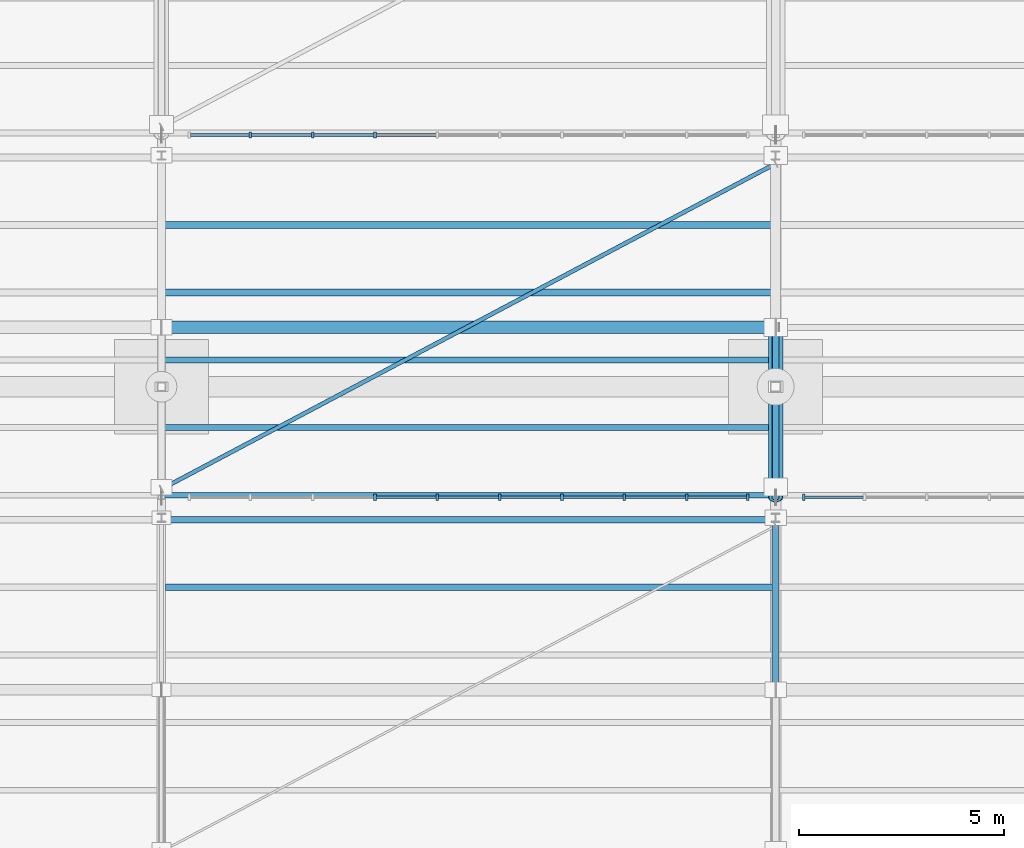
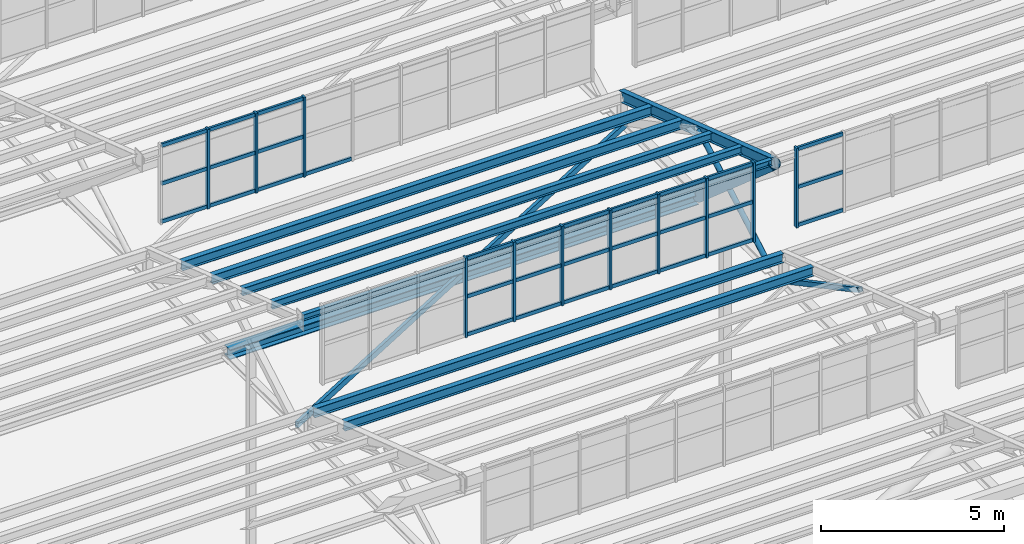
# One storey, part 52 of 285: 47 members, 8 beams, 3 elements without a shape of their own.
"""IFC4 building model written with IfcOpenShell, lengths in metres."""

import ifcopenshell
import ifcopenshell.guid

model = None  # the IFC model being written
_history = None  # IfcOwnerHistory: only IFC2X3 demands one
_inside = {}  # id of a spatial element -> (the spatial element, [elements in it])
_under = {}  # id of a project, library or spatial element -> (it, [spatial elements below it])
_declared = {}  # id of a project -> (the project, [libraries it declares])
_typed = {}  # id of a type object -> (the type object, [elements of that type])
_made_of = {}  # id of a material, layer set ... -> (it, [elements and type objects made of it])


def new_model(schema):
    """Start an empty IFC model of exactly this schema.

    Asked for "IFC4X3", IfcOpenShell would pick the latest addendum, in which some entities
    have other attributes; the version numbers below select the first issue.
    IFC2X3 requires an IfcOwnerHistory on every rooted entity: one is made here for all.
    """
    global model, _history
    if schema == "IFC4X3":
        model = ifcopenshell.file(schema_version=(4, 3, 0, 0))
    else:
        model = ifcopenshell.file(schema=schema)
    _inside.clear()
    _under.clear()
    _declared.clear()
    _typed.clear()
    _made_of.clear()
    _history = None
    if model.schema == "IFC2X3":
        org = make("IfcOrganization", Name="unknown")
        user = make(
            "IfcPersonAndOrganization",
            ThePerson=make("IfcPerson", FamilyName="unknown"),
            TheOrganization=org,
        )
        app = make(
            "IfcApplication",
            ApplicationDeveloper=org,
            Version="unknown",
            ApplicationFullName="unknown",
            ApplicationIdentifier="unknown",
        )
        _history = make(
            "IfcOwnerHistory",
            OwningUser=user,
            OwningApplication=app,
            ChangeAction="ADDED",
            CreationDate=0,
        )
    return model


def make(cls, **values):
    """One entity of the class cls with the attributes given. An attribute that is None is left unset."""
    return model.create_entity(
        cls, **{name: value for name, value in values.items() if value is not None}
    )


def rooted(cls, **values):
    """An entity with a GlobalId (a new one), such as an element, a storey or a relation."""
    return make(cls, GlobalId=ifcopenshell.guid.new(), OwnerHistory=_history, **values)


def si_unit(unit_type, name, prefix=None):
    """IfcSIUnit, for example si_unit("LENGTHUNIT", "METRE", prefix="MILLI")."""
    return make("IfcSIUnit", UnitType=unit_type, Prefix=prefix, Name=name)


def assignment(units):
    """IfcUnitAssignment: the units of a project."""
    return None if units is None else make("IfcUnitAssignment", Units=units)


def point(xyz):
    """IfcCartesianPoint."""
    return None if xyz is None else make("IfcCartesianPoint", Coordinates=xyz)


def direction(xyz):
    """IfcDirection."""
    return None if xyz is None else make("IfcDirection", DirectionRatios=xyz)


def frame(location, z_axis=None, x_axis=None):
    """IfcAxis2Placement3D, a coordinate frame: its origin and axes. An axis left out is left unset."""
    return make(
        "IfcAxis2Placement3D",
        Location=point(location),
        Axis=direction(z_axis),
        RefDirection=direction(x_axis),
    )


def frame_2d(location, x_axis=None):
    """IfcAxis2Placement2D, a coordinate frame in the plane: its origin and x axis."""
    return make(
        "IfcAxis2Placement2D", Location=point(location), RefDirection=direction(x_axis)
    )


def origin():
    """The frame at (0, 0, 0) with its axes left unset."""
    return frame((0.0, 0.0, 0.0))


def origin_2d():
    """The frame at (0, 0) in the plane with its x axis left unset."""
    return frame_2d((0.0, 0.0))


def place(relative_to, where):
    """IfcLocalPlacement: puts the frame where relative to a parent placement (None: the world)."""
    return make(
        "IfcLocalPlacement", PlacementRelTo=relative_to, RelativePlacement=where
    )


def context(
    kind, dimensions, precision=None, world=None, true_north=None, identifier=None
):
    """IfcGeometricRepresentationContext, for example the 3D "Model" context."""
    return make(
        "IfcGeometricRepresentationContext",
        ContextIdentifier=identifier,
        ContextType=kind,
        CoordinateSpaceDimension=dimensions,
        Precision=precision,
        WorldCoordinateSystem=world,
        TrueNorth=true_north,
    )


def subcontext(parent, identifier, kind, view, scale=None):
    """IfcGeometricRepresentationSubContext, for example "Body" below "Model"."""
    return make(
        "IfcGeometricRepresentationSubContext",
        ContextIdentifier=identifier,
        ContextType=kind,
        ParentContext=parent,
        TargetScale=scale,
        TargetView=view,
    )


def project(units=None, contexts=None):
    """IfcProject with its units and contexts."""
    return rooted(
        "IfcProject",
        Name="project",
        RepresentationContexts=contexts,
        UnitsInContext=assignment(units),
    )


def spatial(cls, under=None, at=None, **own):
    """A site, building, storey or space (cls), placed at a placement, below another one or the project."""
    s = rooted(cls, ObjectPlacement=at, **own)
    if under is not None:
        _under.setdefault(under.id(), (under, []))[1].append(s)
    return s


def profile(cls, at=None, kind="AREA", **sizes):
    """A parametric profile (cls). Its sizes go by their IFC names, for example OverallWidth=200.0."""
    return make(cls, ProfileType=kind, Position=at, **sizes)


def rectangle(**sizes):
    """IfcRectangleProfileDef."""
    return profile("IfcRectangleProfileDef", **sizes)


def hollow_rectangle(**sizes):
    """IfcRectangleHollowProfileDef."""
    return profile("IfcRectangleHollowProfileDef", **sizes)


def hollow_circle(**sizes):
    """IfcCircleHollowProfileDef."""
    return profile("IfcCircleHollowProfileDef", **sizes)


def i_section(**sizes):
    """IfcIShapeProfileDef."""
    return profile("IfcIShapeProfileDef", **sizes)


def extrude(swept, where, along, depth):
    """IfcExtrudedAreaSolid: the profile swept, set in the frame where, extruded along a direction by depth."""
    return make(
        "IfcExtrudedAreaSolid",
        SweptArea=swept,
        Position=where,
        ExtrudedDirection=direction(along),
        Depth=depth,
    )


def shape(context_of_items, identifier, shape_type, items):
    """IfcShapeRepresentation: the items that make up one representation, for example the "Body"."""
    return make(
        "IfcShapeRepresentation",
        ContextOfItems=context_of_items,
        RepresentationIdentifier=identifier,
        RepresentationType=shape_type,
        Items=items,
    )


def material(Name=None, Category=None):
    """IfcMaterial."""
    return make("IfcMaterial", Name=Name, Category=Category)


def material_profile(
    of_material, cross_section, Name=None, Category=None, Priority=None
):
    """IfcMaterialProfile: a cross section and its material."""
    return make(
        "IfcMaterialProfile",
        Name=Name,
        Material=of_material,
        Profile=cross_section,
        Priority=Priority,
        Category=Category,
    )


def profile_set(profiles, Name=None, composite=None):
    """IfcMaterialProfileSet."""
    return make(
        "IfcMaterialProfileSet",
        Name=Name,
        MaterialProfiles=profiles,
        CompositeProfile=composite,
    )


def made_of(thing, what):
    """Note that an element or type object is made of a material, layer set ...; save() writes the relation."""
    if what is not None:
        _made_of.setdefault(what.id(), (what, []))[1].append(thing)
    return thing


def type_object(cls, material=None, **own):
    """A type object (cls), such as IfcWallType, which elements share."""
    return made_of(rooted(cls, **own), material)


def element(
    cls,
    number,
    at=None,
    inside=None,
    cuts=None,
    type_object=None,
    material=None,
    context=None,
    identifier="Body",
    shape_type=None,
    held_by="IfcProductDefinitionShape",
    body=None,
    shapes=None,
    **own,
):
    """One element of the class cls, such as IfcWall. Its Tag is "e" and its number.

    at: its placement. inside: the storey or other place that contains it. cuts: it is an
    opening in that element (IfcRelVoidsElement). A single representation is given by context,
    identifier, shape_type and body (its items); several are given by shapes. held_by: the class
    of the entity that holds the representations. save() writes the other relations.
    """
    e = rooted(cls, Tag="e%d" % number, ObjectPlacement=at, **own)
    if body is not None:
        shapes = [shape(context, identifier, shape_type, body)]
    if shapes is not None:
        e.Representation = make(held_by, Representations=shapes)
    if inside is not None:
        _inside.setdefault(inside.id(), (inside, []))[1].append(e)
    if cuts is not None:
        rooted(
            "IfcRelVoidsElement", RelatingBuildingElement=cuts, RelatedOpeningElement=e
        )
    if type_object is not None:
        _typed.setdefault(type_object.id(), (type_object, []))[1].append(e)
    return made_of(e, material)


def aggregate(whole, parts):
    """IfcRelAggregates: a whole, such as a stair, and the parts it consists of."""
    return rooted("IfcRelAggregates", RelatingObject=whole, RelatedObjects=parts)


def save(model, path):
    """Write the relations noted so far, then the file.

    IfcRelAggregates (storeys below a building ...), IfcRelContainedInSpatialStructure (elements
    in a storey), IfcRelDefinesByType, IfcRelAssociatesMaterial and IfcRelDeclares: one each for
    every whole, place, type object, material and project.
    """
    for whole, parts in _under.values():
        aggregate(whole, parts)
    for where, things in _inside.values():
        rooted(
            "IfcRelContainedInSpatialStructure",
            RelatedElements=things,
            RelatingStructure=where,
        )
    for kind, things in _typed.values():
        rooted("IfcRelDefinesByType", RelatedObjects=things, RelatingType=kind)
    for what, things in _made_of.values():
        rooted("IfcRelAssociatesMaterial", RelatedObjects=things, RelatingMaterial=what)
    for by, libraries in _declared.values():
        rooted("IfcRelDeclares", RelatingContext=by, RelatedDefinitions=libraries)
    model.write(path)


model = new_model("IFC4")

# Units and contexts
model_context = context("Model", 3, precision=1e-05, world=origin(), true_north=direction((0.0, 1.0)))
body_context = subcontext(model_context, "Body", "Model", "MODEL_VIEW")
ifc_project = project(units=[si_unit("LENGTHUNIT", "METRE"), si_unit("AREAUNIT", "SQUARE_METRE"), si_unit("VOLUMEUNIT", "CUBIC_METRE"), si_unit("PLANEANGLEUNIT", "RADIAN"), si_unit("MASSUNIT", "GRAM", prefix="KILO")], contexts=[model_context])

# Site, building, storey
site_placement = place(None, origin())
site = spatial("IfcSite", under=ifc_project, at=site_placement, CompositionType="ELEMENT")
building_placement = place(site_placement, origin())
building = spatial("IfcBuilding", under=site, at=building_placement, Name="Solanera Park Tramway Depot", CompositionType="ELEMENT")
storey_placement = place(building_placement, origin())
storey = spatial("IfcBuildingStorey", under=building, at=storey_placement, Name="L00", CompositionType="ELEMENT", Elevation=0.0)

# Curtain wall, members
ifc_material_1 = material(Name="Bronze-anodised thermally broken aluminium curtain wall", Category="aluminium")
curtain_wall_type = type_object("IfcCurtainWallType", Name="Sawtooth Clerestory Monitor Curtain Wall", PredefinedType="NOTDEFINED", material=ifc_material_1)
curtain_wall_1_placement = place(storey_placement, origin())
curtain_wall_1 = element("IfcCurtainWall", 1, at=curtain_wall_1_placement, inside=storey, type_object=curtain_wall_type, Name="L00 Sawtooth Clerestory Monitor Curtain Wall #020", PredefinedType="NOTDEFINED")
ifc_material_2 = material(Name="Bronze-anodised structural aluminium 6063-T6", Category="aluminium")
ifc_material_profile_1 = material_profile(ifc_material_2, rectangle(XDim=0.06494140625, YDim=0.14990234375, at=origin_2d()), Name="Curtain Wall Mullion 65x150")
ifc_profile_set_1 = profile_set([ifc_material_profile_1], Name="Bronze-anodised structural aluminium 6063-T6")
member_type_1 = type_object("IfcMemberType", Name="Curtain Wall Mullion 65x150", PredefinedType="MULLION", material=ifc_profile_set_1)
member_1_placement = place(storey_placement, frame((20.216796875, 82.300048828125, 7.75), z_axis=(0.0, 0.0, 1.0), x_axis=(1.0, 0.0, 0.0)))
member_1 = element("IfcMember", 2, at=member_1_placement, type_object=member_type_1, Name="CW-L00-020 Mullion 4", PredefinedType="MULLION", context=body_context, shape_type="SweptSolid", body=[
    extrude(rectangle(XDim=0.06494140625, YDim=0.14990234375, at=origin_2d()), origin(), (0.0, 0.0, 1.0), 2.6611328125),
])
member_2_placement = place(storey_placement, frame((21.739013671875, 82.300048828125, 7.75), z_axis=(0.0, 0.0, 1.0), x_axis=(1.0, 0.0, 0.0)))
member_2 = element("IfcMember", 3, at=member_2_placement, type_object=member_type_1, Name="CW-L00-020 Mullion 5", PredefinedType="MULLION", context=body_context, shape_type="SweptSolid", body=[
    extrude(rectangle(XDim=0.06494140625, YDim=0.14990234375, at=origin_2d()), origin(), (0.0, 0.0, 1.0), 2.6611328125),
])
member_3_placement = place(storey_placement, frame((23.260986328125, 82.300048828125, 7.75), z_axis=(0.0, 0.0, 1.0), x_axis=(1.0, 0.0, 0.0)))
member_3 = element("IfcMember", 4, at=member_3_placement, type_object=member_type_1, Name="CW-L00-020 Mullion 6", PredefinedType="MULLION", context=body_context, shape_type="SweptSolid", body=[
    extrude(rectangle(XDim=0.06494140625, YDim=0.14990234375, at=origin_2d()), origin(), (0.0, 0.0, 1.0), 2.6611328125),
])
member_4_placement = place(storey_placement, frame((24.783203125, 82.300048828125, 7.75), z_axis=(0.0, 0.0, 1.0), x_axis=(1.0, 0.0, 0.0)))
member_4 = element("IfcMember", 5, at=member_4_placement, type_object=member_type_1, Name="CW-L00-020 Mullion 7", PredefinedType="MULLION", context=body_context, shape_type="SweptSolid", body=[
    extrude(rectangle(XDim=0.06494140625, YDim=0.14990234375, at=origin_2d()), origin(), (0.0, 0.0, 1.0), 2.6611328125),
])
member_5_placement = place(storey_placement, frame((26.3056640625, 82.300048828125, 7.75), z_axis=(0.0, 0.0, 1.0), x_axis=(1.0, 0.0, 0.0)))
member_5 = element("IfcMember", 6, at=member_5_placement, type_object=member_type_1, Name="CW-L00-020 Mullion 8", PredefinedType="MULLION", context=body_context, shape_type="SweptSolid", body=[
    extrude(rectangle(XDim=0.06494140625, YDim=0.14990234375, at=origin_2d()), origin(), (0.0, 0.0, 1.0), 2.6611328125),
])
member_6_placement = place(storey_placement, frame((27.827880859375, 82.300048828125, 7.75), z_axis=(0.0, 0.0, 1.0), x_axis=(1.0, 0.0, 0.0)))
member_6 = element("IfcMember", 7, at=member_6_placement, type_object=member_type_1, Name="CW-L00-020 Mullion 9", PredefinedType="MULLION", context=body_context, shape_type="SweptSolid", body=[
    extrude(rectangle(XDim=0.06494140625, YDim=0.14990234375, at=origin_2d()), origin(), (0.0, 0.0, 1.0), 2.6611328125),
])
member_7_placement = place(storey_placement, frame((29.3173828125, 82.300048828125, 7.75), z_axis=(0.0, 0.0, 1.0), x_axis=(1.0, 0.0, 0.0)))
member_7 = element("IfcMember", 8, at=member_7_placement, type_object=member_type_1, Name="CW-L00-020 Mullion 10", PredefinedType="MULLION", context=body_context, shape_type="SweptSolid", body=[
    extrude(rectangle(XDim=0.06494140625, YDim=0.14990234375, at=origin_2d()), origin(), (0.0, 0.0, 1.0), 2.6611328125),
])

# Curtain wall, member
curtain_wall_2_placement = place(storey_placement, origin())
curtain_wall_2 = element("IfcCurtainWall", 9, at=curtain_wall_2_placement, inside=storey, type_object=curtain_wall_type, Name="L00 Sawtooth Clerestory Monitor Curtain Wall #021", PredefinedType="NOTDEFINED")
member_8_placement = place(storey_placement, frame((30.6826171875, 82.300048828125, 7.75), z_axis=(0.0, 0.0, 1.0), x_axis=(1.0, 0.0, 0.0)))
member_8 = element("IfcMember", 10, at=member_8_placement, type_object=member_type_1, Name="CW-L00-021 Mullion 1", PredefinedType="MULLION", context=body_context, shape_type="SweptSolid", body=[
    extrude(rectangle(XDim=0.06494140625, YDim=0.14990234375, at=origin_2d()), origin(), (0.0, 0.0, 1.0), 2.6611328125),
])

# Curtain wall, members
curtain_wall_3_placement = place(storey_placement, origin())
curtain_wall_3 = element("IfcCurtainWall", 11, at=curtain_wall_3_placement, inside=storey, type_object=curtain_wall_type, Name="L00 Sawtooth Clerestory Monitor Curtain Wall #028", PredefinedType="NOTDEFINED")
member_9_placement = place(storey_placement, frame((17.172119140625, 91.14990234375, 7.75), z_axis=(0.0, 0.0, 1.0), x_axis=(1.0, 0.0, 0.0)))
member_9 = element("IfcMember", 12, at=member_9_placement, type_object=member_type_1, Name="CW-L00-028 Mullion 2", PredefinedType="MULLION", context=body_context, shape_type="SweptSolid", body=[
    extrude(rectangle(XDim=0.06494140625, YDim=0.14990234375, at=origin_2d()), origin(), (0.0, 0.0, 1.0), 2.6611328125),
])
member_10_placement = place(storey_placement, frame((18.6943359375, 91.14990234375, 7.75), z_axis=(0.0, 0.0, 1.0), x_axis=(1.0, 0.0, 0.0)))
member_10 = element("IfcMember", 13, at=member_10_placement, type_object=member_type_1, Name="CW-L00-028 Mullion 3", PredefinedType="MULLION", context=body_context, shape_type="SweptSolid", body=[
    extrude(rectangle(XDim=0.06494140625, YDim=0.14990234375, at=origin_2d()), origin(), (0.0, 0.0, 1.0), 2.6611328125),
])
member_11_placement = place(storey_placement, frame((20.216796875, 91.14990234375, 7.75), z_axis=(0.0, 0.0, 1.0), x_axis=(1.0, 0.0, 0.0)))
member_11 = element("IfcMember", 14, at=member_11_placement, type_object=member_type_1, Name="CW-L00-028 Mullion 4", PredefinedType="MULLION", context=body_context, shape_type="SweptSolid", body=[
    extrude(rectangle(XDim=0.06494140625, YDim=0.14990234375, at=origin_2d()), origin(), (0.0, 0.0, 1.0), 2.6611328125),
])

# Member
ifc_material_3 = material(Name="Bronze-anodised structural aluminium 6063-T6", Category="aluminium")
ifc_material_profile_2 = material_profile(ifc_material_3, rectangle(XDim=0.06494140625, YDim=0.1201171875, at=origin_2d()), Name="Curtain Wall Transom 65x120")
ifc_profile_set_2 = profile_set([ifc_material_profile_2], Name="Bronze-anodised structural aluminium 6063-T6")
member_type_2 = type_object("IfcMemberType", Name="Curtain Wall Transom 65x120", PredefinedType="USERDEFINED", material=ifc_profile_set_2)
member_12_placement = place(storey_placement, frame((20.24462890625, 82.300048828125, 7.81005859375), z_axis=(1.0, 0.0, 0.0), x_axis=(0.0, 1.0, 0.0)))
member_12 = element("IfcMember", 15, at=member_12_placement, type_object=member_type_2, Name="CW-L00-020 Transom R1.C4", ObjectType="TRANSOM", PredefinedType="USERDEFINED", context=body_context, shape_type="SweptSolid", body=[
    extrude(rectangle(XDim=0.06494140625, YDim=0.1201171875, at=origin_2d()), origin(), (0.0, 0.0, 1.0), 1.46630859375),
])

member_13_placement = place(storey_placement, frame((21.766845703125, 82.300048828125, 7.81005859375), z_axis=(1.0, 0.0, 0.0), x_axis=(0.0, 1.0, 0.0)))
member_13 = element("IfcMember", 16, at=member_13_placement, type_object=member_type_2, Name="CW-L00-020 Transom R1.C5", ObjectType="TRANSOM", PredefinedType="USERDEFINED", context=body_context, shape_type="SweptSolid", body=[
    extrude(rectangle(XDim=0.06494140625, YDim=0.1201171875, at=origin_2d()), origin(), (0.0, 0.0, 1.0), 1.46630859375),
])

member_14_placement = place(storey_placement, frame((23.2890625, 82.300048828125, 7.81005859375), z_axis=(1.0, 0.0, 0.0), x_axis=(0.0, 1.0, 0.0)))
member_14 = element("IfcMember", 17, at=member_14_placement, type_object=member_type_2, Name="CW-L00-020 Transom R1.C6", ObjectType="TRANSOM", PredefinedType="USERDEFINED", context=body_context, shape_type="SweptSolid", body=[
    extrude(rectangle(XDim=0.06494140625, YDim=0.1201171875, at=origin_2d()), origin(), (0.0, 0.0, 1.0), 1.46630859375),
])

member_15_placement = place(storey_placement, frame((24.811279296875, 82.300048828125, 7.81005859375), z_axis=(1.0, 0.0, 0.0), x_axis=(0.0, 1.0, 0.0)))
member_15 = element("IfcMember", 18, at=member_15_placement, type_object=member_type_2, Name="CW-L00-020 Transom R1.C7", ObjectType="TRANSOM", PredefinedType="USERDEFINED", context=body_context, shape_type="SweptSolid", body=[
    extrude(rectangle(XDim=0.06494140625, YDim=0.1201171875, at=origin_2d()), origin(), (0.0, 0.0, 1.0), 1.46630859375),
])

member_16_placement = place(storey_placement, frame((26.33349609375, 82.300048828125, 7.81005859375), z_axis=(1.0, 0.0, 0.0), x_axis=(0.0, 1.0, 0.0)))
member_16 = element("IfcMember", 19, at=member_16_placement, type_object=member_type_2, Name="CW-L00-020 Transom R1.C8", ObjectType="TRANSOM", PredefinedType="USERDEFINED", context=body_context, shape_type="SweptSolid", body=[
    extrude(rectangle(XDim=0.06494140625, YDim=0.1201171875, at=origin_2d()), origin(), (0.0, 0.0, 1.0), 1.46630859375),
])

member_17_placement = place(storey_placement, frame((27.855712890625, 82.300048828125, 7.81005859375), z_axis=(1.0, 0.0, 0.0), x_axis=(0.0, 1.0, 0.0)))
member_17 = element("IfcMember", 20, at=member_17_placement, type_object=member_type_2, Name="CW-L00-020 Transom R1.C9", ObjectType="TRANSOM", PredefinedType="USERDEFINED", context=body_context, shape_type="SweptSolid", body=[
    extrude(rectangle(XDim=0.06494140625, YDim=0.1201171875, at=origin_2d()), origin(), (0.0, 0.0, 1.0), 1.433837890625),
])

member_18_placement = place(storey_placement, frame((20.24462890625, 82.300048828125, 9.08056640625), z_axis=(1.0, 0.0, 0.0), x_axis=(0.0, 1.0, 0.0)))
member_18 = element("IfcMember", 21, at=member_18_placement, type_object=member_type_2, Name="CW-L00-020 Transom R2.C4", ObjectType="TRANSOM", PredefinedType="USERDEFINED", context=body_context, shape_type="SweptSolid", body=[
    extrude(rectangle(XDim=0.06494140625, YDim=0.1201171875, at=origin_2d()), origin(), (0.0, 0.0, 1.0), 1.46630859375),
])

member_19_placement = place(storey_placement, frame((21.766845703125, 82.300048828125, 9.08056640625), z_axis=(1.0, 0.0, 0.0), x_axis=(0.0, 1.0, 0.0)))
member_19 = element("IfcMember", 22, at=member_19_placement, type_object=member_type_2, Name="CW-L00-020 Transom R2.C5", ObjectType="TRANSOM", PredefinedType="USERDEFINED", context=body_context, shape_type="SweptSolid", body=[
    extrude(rectangle(XDim=0.06494140625, YDim=0.1201171875, at=origin_2d()), origin(), (0.0, 0.0, 1.0), 1.46630859375),
])

member_20_placement = place(storey_placement, frame((23.2890625, 82.300048828125, 9.08056640625), z_axis=(1.0, 0.0, 0.0), x_axis=(0.0, 1.0, 0.0)))
member_20 = element("IfcMember", 23, at=member_20_placement, type_object=member_type_2, Name="CW-L00-020 Transom R2.C6", ObjectType="TRANSOM", PredefinedType="USERDEFINED", context=body_context, shape_type="SweptSolid", body=[
    extrude(rectangle(XDim=0.06494140625, YDim=0.1201171875, at=origin_2d()), origin(), (0.0, 0.0, 1.0), 1.46630859375),
])

member_21_placement = place(storey_placement, frame((24.811279296875, 82.300048828125, 9.08056640625), z_axis=(1.0, 0.0, 0.0), x_axis=(0.0, 1.0, 0.0)))
member_21 = element("IfcMember", 24, at=member_21_placement, type_object=member_type_2, Name="CW-L00-020 Transom R2.C7", ObjectType="TRANSOM", PredefinedType="USERDEFINED", context=body_context, shape_type="SweptSolid", body=[
    extrude(rectangle(XDim=0.06494140625, YDim=0.1201171875, at=origin_2d()), origin(), (0.0, 0.0, 1.0), 1.46630859375),
])

member_22_placement = place(storey_placement, frame((26.33349609375, 82.300048828125, 9.08056640625), z_axis=(1.0, 0.0, 0.0), x_axis=(0.0, 1.0, 0.0)))
member_22 = element("IfcMember", 25, at=member_22_placement, type_object=member_type_2, Name="CW-L00-020 Transom R2.C8", ObjectType="TRANSOM", PredefinedType="USERDEFINED", context=body_context, shape_type="SweptSolid", body=[
    extrude(rectangle(XDim=0.06494140625, YDim=0.1201171875, at=origin_2d()), origin(), (0.0, 0.0, 1.0), 1.46630859375),
])

member_23_placement = place(storey_placement, frame((27.855712890625, 82.300048828125, 9.08056640625), z_axis=(1.0, 0.0, 0.0), x_axis=(0.0, 1.0, 0.0)))
member_23 = element("IfcMember", 26, at=member_23_placement, type_object=member_type_2, Name="CW-L00-020 Transom R2.C9", ObjectType="TRANSOM", PredefinedType="USERDEFINED", context=body_context, shape_type="SweptSolid", body=[
    extrude(rectangle(XDim=0.06494140625, YDim=0.1201171875, at=origin_2d()), origin(), (0.0, 0.0, 1.0), 1.433837890625),
])

member_24_placement = place(storey_placement, frame((20.24462890625, 82.300048828125, 10.351318359375), z_axis=(1.0, 0.0, 0.0), x_axis=(0.0, 1.0, 0.0)))
member_24 = element("IfcMember", 27, at=member_24_placement, type_object=member_type_2, Name="CW-L00-020 Transom R3.C4", ObjectType="TRANSOM", PredefinedType="USERDEFINED", context=body_context, shape_type="SweptSolid", body=[
    extrude(rectangle(XDim=0.06494140625, YDim=0.1201171875, at=origin_2d()), origin(), (0.0, 0.0, 1.0), 1.46630859375),
])

member_25_placement = place(storey_placement, frame((21.766845703125, 82.300048828125, 10.351318359375), z_axis=(1.0, 0.0, 0.0), x_axis=(0.0, 1.0, 0.0)))
member_25 = element("IfcMember", 28, at=member_25_placement, type_object=member_type_2, Name="CW-L00-020 Transom R3.C5", ObjectType="TRANSOM", PredefinedType="USERDEFINED", context=body_context, shape_type="SweptSolid", body=[
    extrude(rectangle(XDim=0.06494140625, YDim=0.1201171875, at=origin_2d()), origin(), (0.0, 0.0, 1.0), 1.46630859375),
])

member_26_placement = place(storey_placement, frame((23.2890625, 82.300048828125, 10.351318359375), z_axis=(1.0, 0.0, 0.0), x_axis=(0.0, 1.0, 0.0)))
member_26 = element("IfcMember", 29, at=member_26_placement, type_object=member_type_2, Name="CW-L00-020 Transom R3.C6", ObjectType="TRANSOM", PredefinedType="USERDEFINED", context=body_context, shape_type="SweptSolid", body=[
    extrude(rectangle(XDim=0.06494140625, YDim=0.1201171875, at=origin_2d()), origin(), (0.0, 0.0, 1.0), 1.46630859375),
])

member_27_placement = place(storey_placement, frame((24.811279296875, 82.300048828125, 10.351318359375), z_axis=(1.0, 0.0, 0.0), x_axis=(0.0, 1.0, 0.0)))
member_27 = element("IfcMember", 30, at=member_27_placement, type_object=member_type_2, Name="CW-L00-020 Transom R3.C7", ObjectType="TRANSOM", PredefinedType="USERDEFINED", context=body_context, shape_type="SweptSolid", body=[
    extrude(rectangle(XDim=0.06494140625, YDim=0.1201171875, at=origin_2d()), origin(), (0.0, 0.0, 1.0), 1.46630859375),
])

member_28_placement = place(storey_placement, frame((26.33349609375, 82.300048828125, 10.351318359375), z_axis=(1.0, 0.0, 0.0), x_axis=(0.0, 1.0, 0.0)))
member_28 = element("IfcMember", 31, at=member_28_placement, type_object=member_type_2, Name="CW-L00-020 Transom R3.C8", ObjectType="TRANSOM", PredefinedType="USERDEFINED", context=body_context, shape_type="SweptSolid", body=[
    extrude(rectangle(XDim=0.06494140625, YDim=0.1201171875, at=origin_2d()), origin(), (0.0, 0.0, 1.0), 1.46630859375),
])

member_29_placement = place(storey_placement, frame((27.855712890625, 82.300048828125, 10.351318359375), z_axis=(1.0, 0.0, 0.0), x_axis=(0.0, 1.0, 0.0)))
member_29 = element("IfcMember", 32, at=member_29_placement, type_object=member_type_2, Name="CW-L00-020 Transom R3.C9", ObjectType="TRANSOM", PredefinedType="USERDEFINED", context=body_context, shape_type="SweptSolid", body=[
    extrude(rectangle(XDim=0.06494140625, YDim=0.1201171875, at=origin_2d()), origin(), (0.0, 0.0, 1.0), 1.433837890625),
])

aggregate(curtain_wall_1, [member_1, member_2, member_3, member_4, member_5, member_6, member_7, member_12, member_13, member_14, member_15, member_16, member_17, member_18, member_19, member_20, member_21, member_22, member_23, member_24, member_25, member_26, member_27, member_28, member_29])

member_30_placement = place(storey_placement, frame((30.71044921875, 82.300048828125, 7.81005859375), z_axis=(1.0, 0.0, 0.0), x_axis=(0.0, 1.0, 0.0)))
member_30 = element("IfcMember", 33, at=member_30_placement, type_object=member_type_2, Name="CW-L00-021 Transom R1.C1", ObjectType="TRANSOM", PredefinedType="USERDEFINED", context=body_context, shape_type="SweptSolid", body=[
    extrude(rectangle(XDim=0.06494140625, YDim=0.1201171875, at=origin_2d()), origin(), (0.0, 0.0, 1.0), 1.433837890625),
])

member_31_placement = place(storey_placement, frame((30.71044921875, 82.300048828125, 9.08056640625), z_axis=(1.0, 0.0, 0.0), x_axis=(0.0, 1.0, 0.0)))
member_31 = element("IfcMember", 34, at=member_31_placement, type_object=member_type_2, Name="CW-L00-021 Transom R2.C1", ObjectType="TRANSOM", PredefinedType="USERDEFINED", context=body_context, shape_type="SweptSolid", body=[
    extrude(rectangle(XDim=0.06494140625, YDim=0.1201171875, at=origin_2d()), origin(), (0.0, 0.0, 1.0), 1.433837890625),
])

member_32_placement = place(storey_placement, frame((30.71044921875, 82.300048828125, 10.351318359375), z_axis=(1.0, 0.0, 0.0), x_axis=(0.0, 1.0, 0.0)))
member_32 = element("IfcMember", 35, at=member_32_placement, type_object=member_type_2, Name="CW-L00-021 Transom R3.C1", ObjectType="TRANSOM", PredefinedType="USERDEFINED", context=body_context, shape_type="SweptSolid", body=[
    extrude(rectangle(XDim=0.06494140625, YDim=0.1201171875, at=origin_2d()), origin(), (0.0, 0.0, 1.0), 1.433837890625),
])

aggregate(curtain_wall_2, [member_8, member_30, member_31, member_32])

member_33_placement = place(storey_placement, frame((15.71044921875, 91.14990234375, 7.81005859375), z_axis=(1.0, 0.0, 0.0), x_axis=(0.0, 1.0, 0.0)))
member_33 = element("IfcMember", 36, at=member_33_placement, type_object=member_type_2, Name="CW-L00-028 Transom R1.C1", ObjectType="TRANSOM", PredefinedType="USERDEFINED", context=body_context, shape_type="SweptSolid", body=[
    extrude(rectangle(XDim=0.06494140625, YDim=0.1201171875, at=origin_2d()), origin(), (0.0, 0.0, 1.0), 1.433837890625),
])

member_34_placement = place(storey_placement, frame((17.2001953125, 91.14990234375, 7.81005859375), z_axis=(1.0, 0.0, 0.0), x_axis=(0.0, 1.0, 0.0)))
member_34 = element("IfcMember", 37, at=member_34_placement, type_object=member_type_2, Name="CW-L00-028 Transom R1.C2", ObjectType="TRANSOM", PredefinedType="USERDEFINED", context=body_context, shape_type="SweptSolid", body=[
    extrude(rectangle(XDim=0.06494140625, YDim=0.1201171875, at=origin_2d()), origin(), (0.0, 0.0, 1.0), 1.46630859375),
])

member_35_placement = place(storey_placement, frame((18.722412109375, 91.14990234375, 7.81005859375), z_axis=(1.0, 0.0, 0.0), x_axis=(0.0, 1.0, 0.0)))
member_35 = element("IfcMember", 38, at=member_35_placement, type_object=member_type_2, Name="CW-L00-028 Transom R1.C3", ObjectType="TRANSOM", PredefinedType="USERDEFINED", context=body_context, shape_type="SweptSolid", body=[
    extrude(rectangle(XDim=0.06494140625, YDim=0.1201171875, at=origin_2d()), origin(), (0.0, 0.0, 1.0), 1.46630859375),
])

member_36_placement = place(storey_placement, frame((20.24462890625, 91.14990234375, 7.81005859375), z_axis=(1.0, 0.0, 0.0), x_axis=(0.0, 1.0, 0.0)))
member_36 = element("IfcMember", 39, at=member_36_placement, type_object=member_type_2, Name="CW-L00-028 Transom R1.C4", ObjectType="TRANSOM", PredefinedType="USERDEFINED", context=body_context, shape_type="SweptSolid", body=[
    extrude(rectangle(XDim=0.06494140625, YDim=0.1201171875, at=origin_2d()), origin(), (0.0, 0.0, 1.0), 1.46630859375),
])

member_37_placement = place(storey_placement, frame((15.71044921875, 91.14990234375, 9.08056640625), z_axis=(1.0, 0.0, 0.0), x_axis=(0.0, 1.0, 0.0)))
member_37 = element("IfcMember", 40, at=member_37_placement, type_object=member_type_2, Name="CW-L00-028 Transom R2.C1", ObjectType="TRANSOM", PredefinedType="USERDEFINED", context=body_context, shape_type="SweptSolid", body=[
    extrude(rectangle(XDim=0.06494140625, YDim=0.1201171875, at=origin_2d()), origin(), (0.0, 0.0, 1.0), 1.433837890625),
])

member_38_placement = place(storey_placement, frame((17.2001953125, 91.14990234375, 9.08056640625), z_axis=(1.0, 0.0, 0.0), x_axis=(0.0, 1.0, 0.0)))
member_38 = element("IfcMember", 41, at=member_38_placement, type_object=member_type_2, Name="CW-L00-028 Transom R2.C2", ObjectType="TRANSOM", PredefinedType="USERDEFINED", context=body_context, shape_type="SweptSolid", body=[
    extrude(rectangle(XDim=0.06494140625, YDim=0.1201171875, at=origin_2d()), origin(), (0.0, 0.0, 1.0), 1.46630859375),
])

member_39_placement = place(storey_placement, frame((18.722412109375, 91.14990234375, 9.08056640625), z_axis=(1.0, 0.0, 0.0), x_axis=(0.0, 1.0, 0.0)))
member_39 = element("IfcMember", 42, at=member_39_placement, type_object=member_type_2, Name="CW-L00-028 Transom R2.C3", ObjectType="TRANSOM", PredefinedType="USERDEFINED", context=body_context, shape_type="SweptSolid", body=[
    extrude(rectangle(XDim=0.06494140625, YDim=0.1201171875, at=origin_2d()), origin(), (0.0, 0.0, 1.0), 1.46630859375),
])

member_40_placement = place(storey_placement, frame((15.71044921875, 91.14990234375, 10.351318359375), z_axis=(1.0, 0.0, 0.0), x_axis=(0.0, 1.0, 0.0)))
member_40 = element("IfcMember", 43, at=member_40_placement, type_object=member_type_2, Name="CW-L00-028 Transom R3.C1", ObjectType="TRANSOM", PredefinedType="USERDEFINED", context=body_context, shape_type="SweptSolid", body=[
    extrude(rectangle(XDim=0.06494140625, YDim=0.1201171875, at=origin_2d()), origin(), (0.0, 0.0, 1.0), 1.433837890625),
])

member_41_placement = place(storey_placement, frame((17.2001953125, 91.14990234375, 10.351318359375), z_axis=(1.0, 0.0, 0.0), x_axis=(0.0, 1.0, 0.0)))
member_41 = element("IfcMember", 44, at=member_41_placement, type_object=member_type_2, Name="CW-L00-028 Transom R3.C2", ObjectType="TRANSOM", PredefinedType="USERDEFINED", context=body_context, shape_type="SweptSolid", body=[
    extrude(rectangle(XDim=0.06494140625, YDim=0.1201171875, at=origin_2d()), origin(), (0.0, 0.0, 1.0), 1.46630859375),
])

member_42_placement = place(storey_placement, frame((18.722412109375, 91.14990234375, 10.351318359375), z_axis=(1.0, 0.0, 0.0), x_axis=(0.0, 1.0, 0.0)))
member_42 = element("IfcMember", 45, at=member_42_placement, type_object=member_type_2, Name="CW-L00-028 Transom R3.C3", ObjectType="TRANSOM", PredefinedType="USERDEFINED", context=body_context, shape_type="SweptSolid", body=[
    extrude(rectangle(XDim=0.06494140625, YDim=0.1201171875, at=origin_2d()), origin(), (0.0, 0.0, 1.0), 1.46630859375),
])

aggregate(curtain_wall_3, [member_9, member_10, member_11, member_33, member_34, member_35, member_36, member_37, member_38, member_39, member_40, member_41, member_42])

# Members
ifc_material_4 = material(Name="Steel AS/NZS 1163 Grade C350L0", Category="steel")
ifc_material_profile_3 = material_profile(ifc_material_4, hollow_circle(Radius=0.084228515625, WallThickness=0.00634765625, at=origin_2d()), Name="168.3x6.4 CHS")
ifc_profile_set_3 = profile_set([ifc_material_profile_3], Name="Steel AS/NZS 1163 Grade C350L0")
member_type_3 = type_object("IfcMemberType", Name="Roof Gantry Compression Strut 168.3x6.4 CHS", PredefinedType="STRUT", material=ifc_profile_set_3)
member_43_placement = place(storey_placement, frame((30.0, 82.550048828125, 6.5), z_axis=(0.0, 0.869202540842, 0.49445620938), x_axis=(-1.0, 0.0, 0.0)))
element("IfcMember", 46, at=member_43_placement, inside=storey, type_object=member_type_3, Name="Sawtooth ROOF TRUSS Strut 168.3x6.4 CHS #0140", PredefinedType="STRUT", context=body_context, shape_type="SweptSolid", body=[
    extrude(hollow_circle(Radius=0.084228515625, WallThickness=0.00634765625, at=origin_2d()), origin(), (0.0, 0.0, 1.0), 4.48681640625),
])
ifc_material_5 = material(Name="Steel AS/NZS 3679.1 Grade 350", Category="steel")
ifc_material_profile_4 = material_profile(ifc_material_5, i_section(OverallWidth=0.310546875, OverallDepth=0.3271484375, WebThickness=0.015625, FlangeThickness=0.02490234375, at=origin_2d()), Name="310UC158")
ifc_profile_set_4 = profile_set([ifc_material_profile_4], Name="Steel AS/NZS 3679.1 Grade 350")
member_type_4 = type_object("IfcMemberType", Name="Secondary Truss Chord 310UC158", PredefinedType="CHORD", material=ifc_profile_set_4)
member_44_placement = place(storey_placement, frame((15.087890625, 86.449951171875, 6.5), z_axis=(1.0, 0.0, 0.0), x_axis=(0.0, 1.0, 0.0)))
element("IfcMember", 47, at=member_44_placement, inside=storey, type_object=member_type_4, Name="Sawtooth Longitudinal Tie Chord 310UC158 #0166", PredefinedType="CHORD", context=body_context, shape_type="SweptSolid", body=[
    extrude(i_section(OverallWidth=0.310546875, OverallDepth=0.3271484375, WebThickness=0.015625, FlangeThickness=0.02490234375, at=origin_2d()), origin(), (0.0, 0.0, 1.0), 14.82421875),
])

# Beams
ifc_material_6 = material(Name="Steel AS/NZS 3679.1 Grade 350", Category="steel")
ifc_material_profile_5 = material_profile(ifc_material_6, i_section(OverallWidth=0.17138671875, OverallDepth=0.355712890625, WebThickness=0.00732421875, FlangeThickness=0.011474609375, at=origin_2d()), Name="360UB50.7")
ifc_profile_set_5 = profile_set([ifc_material_profile_5], Name="Steel AS/NZS 3679.1 Grade 350")
beam_type_1 = type_object("IfcBeamType", Name="Steel Beam 360UB50.7", PredefinedType="BEAM", material=ifc_profile_set_5)
beam_1_placement = place(storey_placement, frame((30.0, 82.300048828125, 10.10693359375), z_axis=(0.0, 0.948319437663, -0.317317261034), x_axis=(-1.0, 0.0, 0.0)))
element("IfcBeam", 48, at=beam_1_placement, inside=storey, type_object=beam_type_1, Name="Sawtooth ROOF TRUSS Top Rafter 360UB50.7 B04-T3", PredefinedType="BEAM", context=body_context, shape_type="SweptSolid", body=[
    extrude(i_section(OverallWidth=0.17138671875, OverallDepth=0.355712890625, WebThickness=0.00732421875, FlangeThickness=0.011474609375, at=origin_2d()), origin(), (0.0, 0.0, 1.0), 8.804931640625),
])
ifc_material_7 = material(Name="Steel AS/NZS 3679.1 Grade 350", Category="steel")
ifc_material_profile_6 = material_profile(ifc_material_7, i_section(OverallWidth=0.13330078125, OverallDepth=0.203125, WebThickness=0.005859375, FlangeThickness=0.0078125, at=origin_2d()), Name="200UB25.4")
ifc_profile_set_6 = profile_set([ifc_material_profile_6], Name="Steel AS/NZS 3679.1 Grade 350")
beam_type_2 = type_object("IfcBeamType", Name="Steel Joist Purlin 200UB25.4", PredefinedType="JOIST", material=ifc_profile_set_6)
beam_2_placement = place(storey_placement, frame((15.074951171875, 82.35009765625, 10.166259765625), z_axis=(1.0, 0.0, 0.0), x_axis=(0.0, 1.0, 0.0)))
element("IfcBeam", 49, at=beam_2_placement, inside=storey, type_object=beam_type_2, Name="Sawtooth Roof Purlin 200UB25.4 B04.1", PredefinedType="JOIST", context=body_context, shape_type="SweptSolid", body=[
    extrude(i_section(OverallWidth=0.13330078125, OverallDepth=0.203125, WebThickness=0.005859375, FlangeThickness=0.0078125, at=origin_2d()), origin(), (0.0, 0.0, 1.0), 14.84716796875),
])
ifc_material_8 = material(Name="Steel AS/NZS 3679.1 Grade 350", Category="steel")
ifc_material_profile_7 = material_profile(ifc_material_8, i_section(OverallWidth=0.14599609375, OverallDepth=0.251708984375, WebThickness=0.006103515625, FlangeThickness=0.008544921875, at=origin_2d()), Name="250UB31.4")
ifc_profile_set_7 = profile_set([ifc_material_profile_7], Name="Steel AS/NZS 3679.1 Grade 350")
beam_type_3 = type_object("IfcBeamType", Name="Steel Joist Purlin 250UB31.4", PredefinedType="JOIST", material=ifc_profile_set_7)
beam_3_placement = place(storey_placement, frame((15.074951171875, 84.0, 9.587890625), z_axis=(1.0, 0.0, 0.0), x_axis=(0.0, 1.0, 0.0)))
element("IfcBeam", 50, at=beam_3_placement, inside=storey, type_object=beam_type_3, Name="Sawtooth Roof Purlin 250UB31.4 B04.2", PredefinedType="JOIST", context=body_context, shape_type="SweptSolid", body=[
    extrude(i_section(OverallWidth=0.14599609375, OverallDepth=0.251708984375, WebThickness=0.006103515625, FlangeThickness=0.008544921875, at=origin_2d()), origin(), (0.0, 0.0, 1.0), 14.84716796875),
])
ifc_material_9 = material(Name="Steel AS/NZS 3679.1 Grade 350", Category="steel")
ifc_material_profile_8 = material_profile(ifc_material_9, i_section(OverallWidth=0.146484375, OverallDepth=0.256103515625, WebThickness=0.00634765625, FlangeThickness=0.010986328125, at=origin_2d()), Name="250UB37.3")
ifc_profile_set_8 = profile_set([ifc_material_profile_8], Name="Steel AS/NZS 3679.1 Grade 350")
beam_type_4 = type_object("IfcBeamType", Name="Steel Joist Purlin 250UB37.3", PredefinedType="JOIST", material=ifc_profile_set_8)
beam_4_placement = place(storey_placement, frame((15.074951171875, 85.64990234375, 9.033203125), z_axis=(1.0, 0.0, 0.0), x_axis=(0.0, 1.0, 0.0)))
element("IfcBeam", 51, at=beam_4_placement, inside=storey, type_object=beam_type_4, Name="Sawtooth Roof Purlin 250UB37.3 B04.3", PredefinedType="JOIST", context=body_context, shape_type="SweptSolid", body=[
    extrude(i_section(OverallWidth=0.146484375, OverallDepth=0.256103515625, WebThickness=0.00634765625, FlangeThickness=0.010986328125, at=origin_2d()), origin(), (0.0, 0.0, 1.0), 14.84716796875),
])
ifc_material_10 = material(Name="Steel AS/NZS 3679.1 Grade 350", Category="steel")
ifc_material_profile_9 = material_profile(ifc_material_10, i_section(OverallWidth=0.1650390625, OverallDepth=0.3037109375, WebThickness=0.006103515625, FlangeThickness=0.01025390625, at=origin_2d()), Name="310UB40.4")
ifc_profile_set_9 = profile_set([ifc_material_profile_9], Name="Steel AS/NZS 3679.1 Grade 350")
beam_type_5 = type_object("IfcBeamType", Name="Steel Joist Purlin 310UB40.4", PredefinedType="JOIST", material=ifc_profile_set_9)
beam_5_placement = place(storey_placement, frame((15.0966796875, 80.10009765625, 7.902099609375), z_axis=(1.0, 0.0, 0.0), x_axis=(0.0, 1.0, 0.0)))
element("IfcBeam", 52, at=beam_5_placement, inside=storey, type_object=beam_type_5, Name="Sawtooth Roof Purlin 310UB40.4 B03.5", PredefinedType="JOIST", context=body_context, shape_type="SweptSolid", body=[
    extrude(i_section(OverallWidth=0.1650390625, OverallDepth=0.3037109375, WebThickness=0.006103515625, FlangeThickness=0.01025390625, at=origin_2d()), origin(), (0.0, 0.0, 1.0), 14.828369140625),
])
beam_6_placement = place(storey_placement, frame((15.074951171875, 87.300048828125, 8.454345703125), z_axis=(1.0, 0.0, 0.0), x_axis=(0.0, 1.0, 0.0)))
element("IfcBeam", 53, at=beam_6_placement, inside=storey, type_object=beam_type_5, Name="Sawtooth Roof Purlin 310UB40.4 B04.4", PredefinedType="JOIST", context=body_context, shape_type="SweptSolid", body=[
    extrude(i_section(OverallWidth=0.1650390625, OverallDepth=0.3037109375, WebThickness=0.006103515625, FlangeThickness=0.01025390625, at=origin_2d()), origin(), (0.0, 0.0, 1.0), 14.84716796875),
])
ifc_material_11 = material(Name="Steel AS/NZS 3679.1 Grade 350", Category="steel")
ifc_material_profile_10 = material_profile(ifc_material_11, i_section(OverallWidth=0.166015625, OverallDepth=0.30712890625, WebThickness=0.006591796875, FlangeThickness=0.01171875, at=origin_2d()), Name="310UB46.2")
ifc_profile_set_10 = profile_set([ifc_material_profile_10], Name="Steel AS/NZS 3679.1 Grade 350")
beam_type_6 = type_object("IfcBeamType", Name="Steel Joist Purlin 310UB46.2", PredefinedType="JOIST", material=ifc_profile_set_10)
beam_7_placement = place(storey_placement, frame((15.0966796875, 81.75, 7.348388671875), z_axis=(1.0, 0.0, 0.0), x_axis=(0.0, 1.0, 0.0)))
element("IfcBeam", 54, at=beam_7_placement, inside=storey, type_object=beam_type_6, Name="Sawtooth Roof Purlin 310UB46.2 B03.6", PredefinedType="JOIST", context=body_context, shape_type="SweptSolid", body=[
    extrude(i_section(OverallWidth=0.166015625, OverallDepth=0.30712890625, WebThickness=0.006591796875, FlangeThickness=0.01171875, at=origin_2d()), origin(), (0.0, 0.0, 1.0), 14.828369140625),
])
beam_8_placement = place(storey_placement, frame((15.074951171875, 88.949951171875, 7.900390625), z_axis=(1.0, 0.0, 0.0), x_axis=(0.0, 1.0, 0.0)))
element("IfcBeam", 55, at=beam_8_placement, inside=storey, type_object=beam_type_6, Name="Sawtooth Roof Purlin 310UB46.2 B04.5", PredefinedType="JOIST", context=body_context, shape_type="SweptSolid", body=[
    extrude(i_section(OverallWidth=0.166015625, OverallDepth=0.30712890625, WebThickness=0.006591796875, FlangeThickness=0.01171875, at=origin_2d()), origin(), (0.0, 0.0, 1.0), 14.84716796875),
])

# Members
ifc_material_12 = material(Name="Steel AS/NZS 1163 Grade C350L0", Category="steel")
ifc_material_profile_11 = material_profile(ifc_material_12, hollow_rectangle(XDim=0.14990234375, YDim=0.14990234375, WallThickness=0.006103515625, at=origin_2d()), Name="150x150x6.0 SHS")
ifc_profile_set_11 = profile_set([ifc_material_profile_11], Name="Steel AS/NZS 1163 Grade C350L0")
member_type_5 = type_object("IfcMemberType", Name="Truss and Frame Brace 150x150x6.0 SHS", PredefinedType="BRACE", material=ifc_profile_set_11)
member_45_placement = place(storey_placement, frame((30.0, 81.800048828125, 6.5), z_axis=(0.0, -0.882117205046, 0.471029974165), x_axis=(1.0, 0.0, 0.0)))
element("IfcMember", 56, at=member_45_placement, inside=storey, type_object=member_type_5, Name="Sawtooth ROOF TRUSS Diagonal 150x150x6.0 SHS #0092", PredefinedType="BRACE", context=body_context, shape_type="SweptSolid", body=[
    extrude(hollow_rectangle(XDim=0.14990234375, YDim=0.14990234375, WallThickness=0.006103515625, at=origin_2d()), origin(), (0.0, 0.0, 1.0), 4.76123046875),
])
ifc_material_13 = material(Name="Steel AS/NZS 1163 Grade C350L0", Category="steel")
ifc_material_profile_12 = material_profile(ifc_material_13, hollow_rectangle(XDim=0.10009765625, YDim=0.199951171875, WallThickness=0.006103515625, at=origin_2d()), Name="200x100x6.0 RHS")
ifc_profile_set_12 = profile_set([ifc_material_profile_12], Name="Steel AS/NZS 1163 Grade C350L0")
member_type_6 = type_object("IfcMemberType", Name="Truss and Frame Brace 200x100x6.0 RHS", PredefinedType="BRACE", material=ifc_profile_set_12)
member_46_placement = place(storey_placement, frame((15.001953125, 82.5, 6.5), z_axis=(0.883523615038, 0.468386615598, 0.0), x_axis=(-0.468386615598, 0.883523615038, 0.0)))
element("IfcMember", 57, at=member_46_placement, inside=storey, type_object=member_type_6, Name="Roof Plane Cyclonic Brace 200x100x6.0 RHS #0167", PredefinedType="BRACE", context=body_context, shape_type="SweptSolid", body=[
    extrude(hollow_rectangle(XDim=0.10009765625, YDim=0.199951171875, WallThickness=0.006103515625, at=origin_2d()), origin(), (0.0, 0.0, 1.0), 16.97314453125),
])
ifc_material_14 = material(Name="Steel AS/NZS 1163 Grade C350L0", Category="steel")
ifc_material_profile_13 = material_profile(ifc_material_14, hollow_circle(Radius=0.177734375, WallThickness=0.0126953125, at=origin_2d()), Name="355.6x12.7 CHS")
ifc_profile_set_13 = profile_set([ifc_material_profile_13], Name="Steel AS/NZS 1163 Grade C350L0")
member_type_7 = type_object("IfcMemberType", Name="Truss and Frame Brace 355.6x12.7 CHS", PredefinedType="BRACE", material=ifc_profile_set_13)
member_47_placement = place(storey_placement, frame((30.0, 86.449951171875, 6.5), z_axis=(0.0, -0.754756538157, 0.656005006162), x_axis=(1.0, 0.0, 0.0)))
element("IfcMember", 58, at=member_47_placement, inside=storey, type_object=member_type_7, Name="Sawtooth ROOF TRUSS Web Brace 355.6x12.7 CHS #0138", PredefinedType="BRACE", context=body_context, shape_type="SweptSolid", body=[
    extrude(hollow_circle(Radius=0.177734375, WallThickness=0.0126953125, at=origin_2d()), origin(), (0.0, 0.0, 1.0), 5.498291015625),
])

save(model, "model.ifc")
